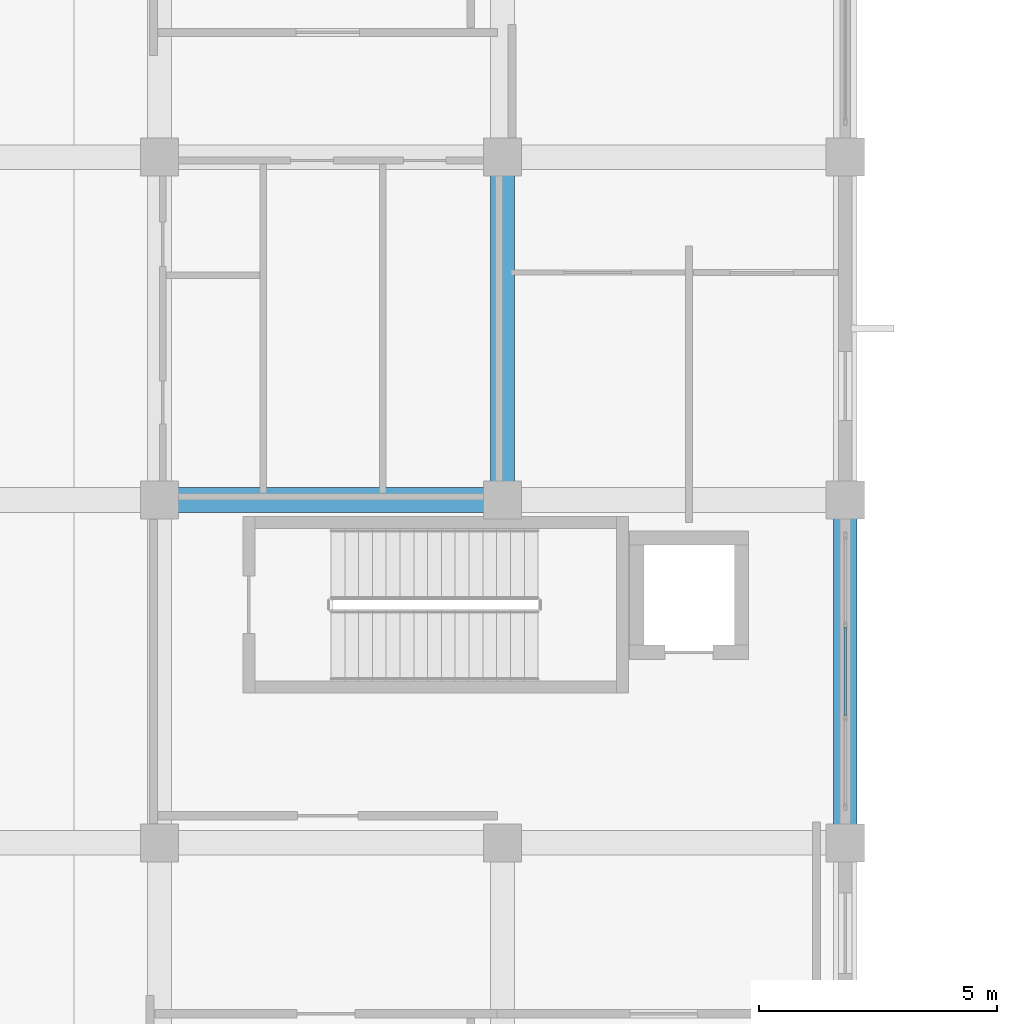
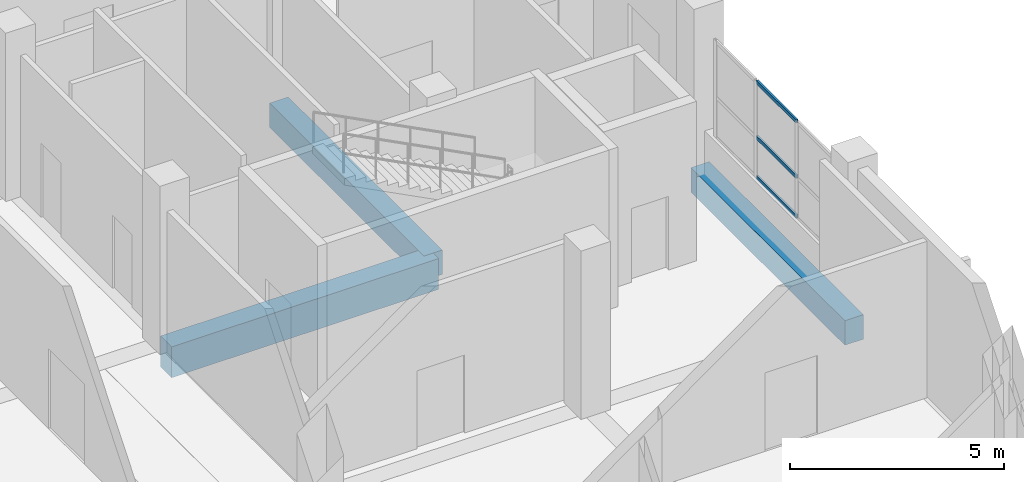
# One storey, part 19 of 140: 3 beams, 3 members, 1 element without a shape of its own.
"""IFC4 building model written with IfcOpenShell, lengths in metres."""

from ifc_helpers import new_model, si_unit, direction, frame, origin, origin_2d, place, context, subcontext, project, spatial, rectangle, hollow_rectangle, extrude, material, layer, layer_set, material_profile, profile_set, type_object, element, aggregate, save


model = new_model("IFC4")

# Units and contexts
model_context = context("Model", 3, precision=1e-05, world=origin(), true_north=direction((0.0, 1.0)))
body_context = subcontext(model_context, "Body", "Model", "MODEL_VIEW")
ifc_project = project(units=[si_unit("LENGTHUNIT", "METRE"), si_unit("AREAUNIT", "SQUARE_METRE"), si_unit("VOLUMEUNIT", "CUBIC_METRE"), si_unit("PLANEANGLEUNIT", "RADIAN"), si_unit("MASSUNIT", "GRAM", prefix="KILO")], contexts=[model_context])

# Site, building, storey
site_placement = place(None, origin())
site = spatial("IfcSite", under=ifc_project, at=site_placement, CompositionType="ELEMENT")
building_placement = place(site_placement, origin())
building = spatial("IfcBuilding", under=site, at=building_placement, Name="Seraya Terrace Polytechnic", CompositionType="ELEMENT")
storey_placement = place(building_placement, frame((0.0, 0.0, 9.60009765625)))
storey = spatial("IfcBuildingStorey", under=building, at=storey_placement, Name="L02", CompositionType="ELEMENT", Elevation=9.60009765625)

# Beams
ifc_material_1 = material(Name="Concrete C40/50", Category="concrete")
ifc_material_profile_1 = material_profile(ifc_material_1, rectangle(XDim=0.52001953125, YDim=0.8798828125, at=origin_2d()), Name="RC 520x880")
ifc_profile_set_1 = profile_set([ifc_material_profile_1], Name="Concrete C40/50")
beam_type_1 = type_object("IfcBeamType", Name="BM-04", PredefinedType="BEAM", material=ifc_profile_set_1)
beam_placement = place(storey_placement, frame((28.800048828125, 43.199951171875, -0.440185546875), z_axis=(1.0, 0.0, 0.0), x_axis=(0.0, 1.0, 0.0)))
element("IfcBeam", 1, at=beam_placement, inside=storey, type_object=beam_type_1, Name="Beam BM-04 L02 X (28.8..36.0, 43.2)", PredefinedType="BEAM", context=body_context, shape_type="SweptSolid", body=[
    extrude(rectangle(XDim=0.52001953125, YDim=0.8798828125, at=origin_2d()), origin(), (0.0, 0.0, 1.0), 7.199951171875),
])
ifc_material_profile_2 = material_profile(ifc_material_1, rectangle(XDim=0.5, YDim=0.699951171875, at=origin_2d()), Name="RC 500x700")
ifc_profile_set_2 = profile_set([ifc_material_profile_2], Name="Concrete C40/50")
beam_type_2 = type_object("IfcBeamType", Name="BM-07", PredefinedType="BEAM", material=ifc_profile_set_2)
for number, where, z_axis, x_axis, name in (
    (2, (36.0, 43.199951171875, -0.35009765625), (0.0, 1.0, 0.0), (-1.0, 0.0, 0.0), "Beam BM-07 L02 Y (36.0, 43.2..50.4)"),
    (3, (43.199951171875, 36.0, -0.35009765625), (0.0, 1.0, 0.0), (-1.0, 0.0, 0.0), "Beam BM-07 L02 Y (43.2, 36.0..43.2)"),
):
    element("IfcBeam", number, at=place(storey_placement, frame(where, z_axis=z_axis, x_axis=x_axis)), inside=storey, type_object=beam_type_2, Name=name, PredefinedType="BEAM", context=body_context, shape_type="SweptSolid", body=[
        extrude(rectangle(XDim=0.5, YDim=0.699951171875, at=origin_2d()), origin(), (0.0, 0.0, 1.0), 7.199951171875),
    ])

# Curtain wall, members
ifc_material_2 = material(Name="Anodised aluminium EN AW-6063 T6", Category="aluminium")
ifc_layer = layer(ifc_material_2, 0.179931640625, Name="CW-15")
ifc_layer_set = layer_set([ifc_layer], Name="Anodised aluminium EN AW-6063 T6")
curtain_wall_type = type_object("IfcCurtainWallType", Name="CW-15", PredefinedType="NOTDEFINED", material=ifc_layer_set)
curtain_wall_placement = place(storey_placement, origin())
curtain_wall = element("IfcCurtainWall", 4, at=curtain_wall_placement, inside=storey, type_object=curtain_wall_type, Name="Unitised curtain wall CW-15 (CW-L02-087)", PredefinedType="NOTDEFINED")
ifc_material_profile_3 = material_profile(ifc_material_2, hollow_rectangle(XDim=0.054931640625, YDim=0.10009765625, WallThickness=0.0029296875, at=origin_2d()), Name="RHS 100x55x3.0")
ifc_profile_set_3 = profile_set([ifc_material_profile_3], Name="Anodised aluminium EN AW-6063 T6")
member_type = type_object("IfcMemberType", Name="CWT-03", PredefinedType="USERDEFINED", material=ifc_profile_set_3)
member_1_placement = place(storey_placement, frame((43.199951171875, 40.530029296875, 1.267333984375), z_axis=(0.0, -1.0, 0.0), x_axis=(1.0, 0.0, 0.0)))
member_1 = element("IfcMember", 5, at=member_1_placement, type_object=member_type, Name="CW-15 transom 2.1", ObjectType="TRANSOM", PredefinedType="USERDEFINED", context=body_context, shape_type="SweptSolid", body=[
    extrude(hollow_rectangle(XDim=0.054931640625, YDim=0.10009765625, WallThickness=0.0029296875, at=origin_2d()), origin(), (0.0, 0.0, 1.0), 1.860107421875),
])
member_2_placement = place(storey_placement, frame((43.199951171875, 40.530029296875, 2.4033203125), z_axis=(0.0, -1.0, 0.0), x_axis=(1.0, 0.0, 0.0)))
member_2 = element("IfcMember", 6, at=member_2_placement, type_object=member_type, Name="CW-15 transom 2.2", ObjectType="TRANSOM", PredefinedType="USERDEFINED", context=body_context, shape_type="SweptSolid", body=[
    extrude(hollow_rectangle(XDim=0.054931640625, YDim=0.10009765625, WallThickness=0.0029296875, at=origin_2d()), origin(), (0.0, 0.0, 1.0), 1.860107421875),
])
member_3_placement = place(storey_placement, frame((43.199951171875, 40.530029296875, 3.982421875), z_axis=(0.0, -1.0, 0.0), x_axis=(1.0, 0.0, 0.0)))
member_3 = element("IfcMember", 7, at=member_3_placement, type_object=member_type, Name="CW-15 transom 2.3", ObjectType="TRANSOM", PredefinedType="USERDEFINED", context=body_context, shape_type="SweptSolid", body=[
    extrude(hollow_rectangle(XDim=0.054931640625, YDim=0.10009765625, WallThickness=0.0029296875, at=origin_2d()), origin(), (0.0, 0.0, 1.0), 1.860107421875),
])
aggregate(curtain_wall, [member_1, member_2, member_3])

save(model, "model.ifc")
